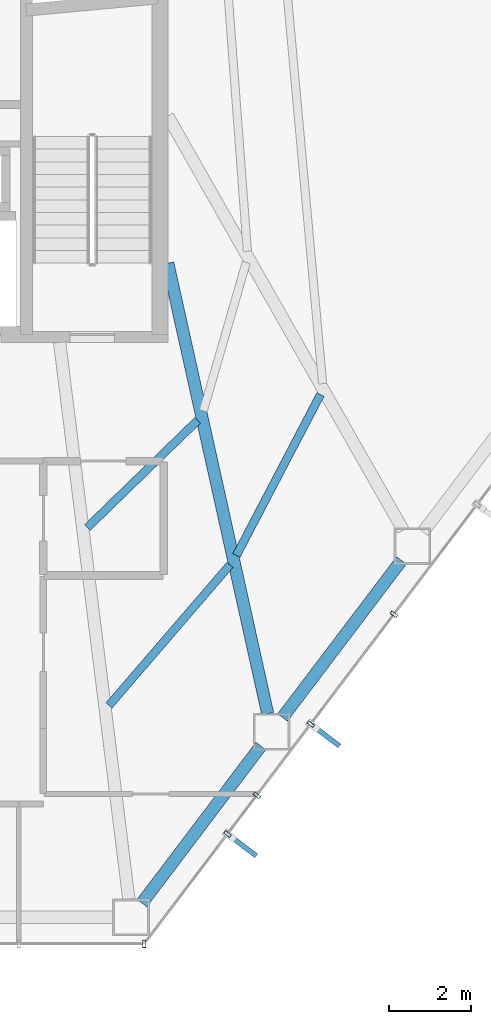
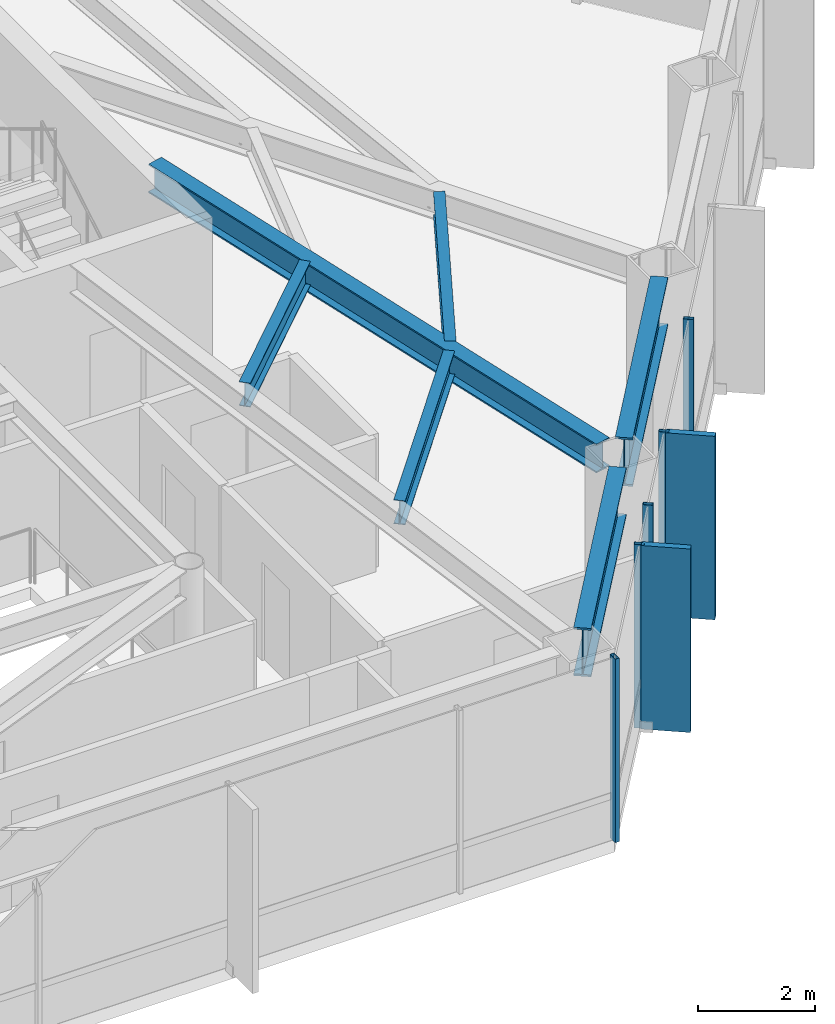
# One storey, part 14 of 24: 7 members, 6 beams, 2 elements without a shape of their own.
"""IFC4 building model written with IfcOpenShell, lengths in metres."""

from ifc_helpers import new_model, si_unit, direction, frame, origin, origin_2d, place, context, subcontext, project, spatial, rectangle, hollow_rectangle, i_section, extrude, material, layer, layer_set, material_profile, profile_set, type_object, element, aggregate, save


model = new_model("IFC4")

# Units and contexts
model_context = context("Model", 3, precision=1e-05, world=origin(), true_north=direction((0.0, 1.0)))
body_context = subcontext(model_context, "Body", "Model", "MODEL_VIEW")
ifc_project = project(units=[si_unit("LENGTHUNIT", "METRE"), si_unit("AREAUNIT", "SQUARE_METRE"), si_unit("VOLUMEUNIT", "CUBIC_METRE"), si_unit("PLANEANGLEUNIT", "RADIAN"), si_unit("MASSUNIT", "GRAM", prefix="KILO")], contexts=[model_context])

# Site, building, storey
site_placement = place(None, origin())
site = spatial("IfcSite", under=ifc_project, at=site_placement, CompositionType="ELEMENT")
building_placement = place(site_placement, origin())
building = spatial("IfcBuilding", under=site, at=building_placement, Name="Zarrinselat Tower", CompositionType="ELEMENT")
storey_placement = place(building_placement, frame((0.0, 0.0, 100.97998046875)))
storey = spatial("IfcBuildingStorey", under=building, at=storey_placement, Name="L24", CompositionType="ELEMENT", Elevation=100.97998046875)

# Beams
ifc_material_1 = material(Name="Steel S355J2", Category="steel")
ifc_material_profile_1 = material_profile(ifc_material_1, i_section(OverallWidth=0.300048828125, OverallDepth=0.60009765625, WebThickness=0.015380859375, FlangeThickness=0.030029296875, at=origin_2d()), Name="HEB 600")
ifc_profile_set_1 = profile_set([ifc_material_profile_1], Name="Steel S355J2")
beam_type_1 = type_object("IfcBeamType", Name="BM-HEB600", PredefinedType="BEAM", material=ifc_profile_set_1)
beam_1_placement = place(storey_placement, frame((48.449951171875, 35.0, 3.52001953125), z_axis=(0.216477682, -0.976287566855, 0.0), x_axis=(0.976287566855, 0.216477682, 0.0)))
element("IfcBeam", 1, at=beam_1_placement, inside=storey, type_object=beam_type_1, Name="L24 Radial Primary Girder RG12", PredefinedType="BEAM", context=body_context, shape_type="SweptSolid", body=[
    extrude(i_section(OverallWidth=0.300048828125, OverallDepth=0.60009765625, WebThickness=0.015380859375, FlangeThickness=0.030029296875, at=origin_2d()), origin(), (0.0, 0.0, 1.0), 11.304931640625),
])
ifc_material_2 = material(Name="Steel S460M", Category="steel")
ifc_material_profile_2 = material_profile(ifc_material_2, i_section(OverallWidth=0.302001953125, OverallDepth=1.008056640625, WebThickness=0.02099609375, FlangeThickness=0.0400390625, at=origin_2d()), Name="HEM 1000")
ifc_profile_set_2 = profile_set([ifc_material_profile_2], Name="Steel S460M")
beam_type_2 = type_object("IfcBeamType", Name="BM-HEM1000", PredefinedType="BEAM", material=ifc_profile_set_2)
beam_2_placement = place(storey_placement, frame((47.8154296875, 19.32470703125, 3.31591796875), z_axis=(0.603852819431, 0.797095836437, 0.0), x_axis=(-0.797095836437, 0.603852819431, 0.0)))
element("IfcBeam", 2, at=beam_2_placement, inside=storey, type_object=beam_type_2, Name="L24 Perimeter Spandrel Girder SP11", PredefinedType="BEAM", context=body_context, shape_type="SweptSolid", body=[
    extrude(i_section(OverallWidth=0.302001953125, OverallDepth=1.008056640625, WebThickness=0.02099609375, FlangeThickness=0.0400390625, at=origin_2d()), origin(), (0.0, 0.0, 1.0), 4.827392578125),
])
beam_3_placement = place(storey_placement, frame((51.259521484375, 23.870849609375, 3.31591796875), z_axis=(0.60382847745, 0.797114276513, 0.0), x_axis=(-0.797114276513, 0.60382847745, 0.0)))
element("IfcBeam", 3, at=beam_3_placement, inside=storey, type_object=beam_type_2, Name="L24 Perimeter Spandrel Girder SP12", PredefinedType="BEAM", context=body_context, shape_type="SweptSolid", body=[
    extrude(i_section(OverallWidth=0.302001953125, OverallDepth=1.008056640625, WebThickness=0.02099609375, FlangeThickness=0.0400390625, at=origin_2d()), origin(), (0.0, 0.0, 1.0), 4.82763671875),
])
ifc_material_3 = material(Name="Steel S355J2", Category="steel")
ifc_material_profile_3 = material_profile(ifc_material_3, i_section(OverallWidth=0.199951171875, OverallDepth=0.5, WebThickness=0.01025390625, FlangeThickness=0.01611328125, at=origin_2d()), Name="IPE 500")
ifc_profile_set_3 = profile_set([ifc_material_profile_3], Name="Steel S355J2")
beam_type_3 = type_object("IfcBeamType", Name="BM-IPE500", PredefinedType="JOIST", material=ifc_profile_set_3)
beam_4_placement = place(storey_placement, frame((47.010009765625, 24.16650390625, 3.570068359375), z_axis=(0.652391980418, 0.757881721568, 0.0), x_axis=(-0.757881721568, 0.652391980418, 0.0)))
element("IfcBeam", 4, at=beam_4_placement, inside=storey, type_object=beam_type_3, Name="L24 Composite Floor Joist 3-1", PredefinedType="JOIST", context=body_context, shape_type="SweptSolid", body=[
    extrude(i_section(OverallWidth=0.199951171875, OverallDepth=0.5, WebThickness=0.01025390625, FlangeThickness=0.01611328125, at=origin_2d()), origin(), (0.0, 0.0, 1.0), 4.54296875),
])
beam_5_placement = place(storey_placement, frame((46.476806640625, 28.521484375, 3.570068359375), z_axis=(0.717164751372, 0.696903665789, 0.0), x_axis=(-0.696903665789, 0.717164751372, 0.0)))
element("IfcBeam", 5, at=beam_5_placement, inside=storey, type_object=beam_type_3, Name="L24 Composite Floor Joist 3-2", PredefinedType="JOIST", context=body_context, shape_type="SweptSolid", body=[
    extrude(i_section(OverallWidth=0.199951171875, OverallDepth=0.5, WebThickness=0.01025390625, FlangeThickness=0.01611328125, at=origin_2d()), origin(), (0.0, 0.0, 1.0), 3.771484375),
])
beam_6_placement = place(storey_placement, frame((50.1298828125, 27.839599609375, 3.570068359375), z_axis=(0.463008406228, 0.886353888558, 0.0), x_axis=(-0.886353888558, 0.463008406228, 0.0)))
element("IfcBeam", 6, at=beam_6_placement, inside=storey, type_object=beam_type_3, Name="L24 Composite Floor Joist 4-1", PredefinedType="JOIST", context=body_context, shape_type="SweptSolid", body=[
    extrude(i_section(OverallWidth=0.199951171875, OverallDepth=0.5, WebThickness=0.01025390625, FlangeThickness=0.01611328125, at=origin_2d()), origin(), (0.0, 0.0, 1.0), 4.450439453125),
])

# Curtain wall, member
ifc_material_4 = material(Name="Extruded Aluminium Alloy EN AW-6063 T6", Category="aluminium")
ifc_layer = layer(ifc_material_4, 0.18505859375)
ifc_layer_set = layer_set([ifc_layer], Name="Extruded Aluminium Alloy EN AW-6063 T6")
curtain_wall_type = type_object("IfcCurtainWallType", Name="CWS-OFF", PredefinedType="NOTDEFINED", material=ifc_layer_set)
curtain_wall_1_placement = place(storey_placement, origin())
curtain_wall_1 = element("IfcCurtainWall", 7, at=curtain_wall_1_placement, inside=storey, type_object=curtain_wall_type, Name="L24 Unitised Curtain Wall CW-L24-E04", PredefinedType="NOTDEFINED")
ifc_material_5 = material(Name="Extruded Aluminium Alloy EN AW-6063 T6", Category="aluminium")
ifc_material_profile_4 = material_profile(ifc_material_5, hollow_rectangle(XDim=0.080078125, YDim=0.179931640625, WallThickness=0.0048828125, at=origin_2d()), Name="RHS 180x80x5")
ifc_profile_set_4 = profile_set([ifc_material_profile_4], Name="Extruded Aluminium Alloy EN AW-6063 T6")
member_type_1 = type_object("IfcMemberType", Name="MEM-CW-MUL", PredefinedType="MULLION", material=ifc_profile_set_4)
member_1_placement = place(storey_placement, frame((47.873779296875, 18.32568359375, 0.0), z_axis=(0.0, 0.0, 1.0), x_axis=(1.0, 0.0, 0.0)))
member_1 = element("IfcMember", 8, at=member_1_placement, type_object=member_type_1, Name="CW-L24-E04 Mullion 5", PredefinedType="MULLION", context=body_context, shape_type="SweptSolid", body=[
    extrude(hollow_rectangle(XDim=0.080078125, YDim=0.179931640625, WallThickness=0.0048828125, at=origin_2d()), origin(), (0.0, 0.0, 1.0), 3.820068359375),
])
aggregate(curtain_wall_1, [member_1])

# Curtain wall, members
curtain_wall_2_placement = place(storey_placement, origin())
curtain_wall_2 = element("IfcCurtainWall", 9, at=curtain_wall_2_placement, inside=storey, type_object=curtain_wall_type, Name="L24 Unitised Curtain Wall CW-L24-E05", PredefinedType="NOTDEFINED")
member_2_placement = place(storey_placement, frame((49.912353515625, 21.016357421875, 0.0), z_axis=(0.0, 0.0, 1.0), x_axis=(0.603858013909, 0.79709190125, 0.0)))
member_2 = element("IfcMember", 10, at=member_2_placement, type_object=member_type_1, Name="CW-L24-E05 Mullion 1", PredefinedType="MULLION", context=body_context, shape_type="SweptSolid", body=[
    extrude(hollow_rectangle(XDim=0.080078125, YDim=0.179931640625, WallThickness=0.0048828125, at=origin_2d()), origin(), (0.0, 0.0, 1.0), 3.820068359375),
])
member_3_placement = place(storey_placement, frame((50.630126953125, 21.9638671875, 0.0), z_axis=(0.0, 0.0, 1.0), x_axis=(0.603858013909, 0.79709190125, 0.0)))
member_3 = element("IfcMember", 11, at=member_3_placement, type_object=member_type_1, Name="CW-L24-E05 Mullion 2", PredefinedType="MULLION", context=body_context, shape_type="SweptSolid", body=[
    extrude(hollow_rectangle(XDim=0.080078125, YDim=0.179931640625, WallThickness=0.0048828125, at=origin_2d()), origin(), (0.0, 0.0, 1.0), 3.820068359375),
])
member_4_placement = place(storey_placement, frame((51.95068359375, 23.70703125, 0.0), z_axis=(0.0, 0.0, 1.0), x_axis=(0.603858013909, 0.79709190125, 0.0)))
member_4 = element("IfcMember", 12, at=member_4_placement, type_object=member_type_1, Name="CW-L24-E05 Mullion 3", PredefinedType="MULLION", context=body_context, shape_type="SweptSolid", body=[
    extrude(hollow_rectangle(XDim=0.080078125, YDim=0.179931640625, WallThickness=0.0048828125, at=origin_2d()), origin(), (0.0, 0.0, 1.0), 3.820068359375),
])
member_5_placement = place(storey_placement, frame((53.989013671875, 26.397705078125, 0.0), z_axis=(0.0, 0.0, 1.0), x_axis=(0.603858013909, 0.79709190125, 0.0)))
member_5 = element("IfcMember", 13, at=member_5_placement, type_object=member_type_1, Name="CW-L24-E05 Mullion 4", PredefinedType="MULLION", context=body_context, shape_type="SweptSolid", body=[
    extrude(hollow_rectangle(XDim=0.080078125, YDim=0.179931640625, WallThickness=0.0048828125, at=origin_2d()), origin(), (0.0, 0.0, 1.0), 3.820068359375),
])
ifc_material_6 = material(Name="Honed Cream Travertine Stone", Category="masonry")
ifc_material_profile_5 = material_profile(ifc_material_6, rectangle(XDim=0.1201171875, YDim=0.85009765625, at=origin_2d()), Name="FIN 850x120")
ifc_profile_set_5 = profile_set([ifc_material_profile_5], Name="Honed Cream Travertine Stone")
member_type_2 = type_object("IfcMemberType", Name="MEM-STONE-FIN", PredefinedType="USERDEFINED", material=ifc_profile_set_5)
member_6_placement = place(storey_placement, frame((50.279052734375, 20.738525390625, 0.0), z_axis=(0.0, 0.0, 1.0), x_axis=(-0.603858013909, -0.79709190125, 0.0)))
member_6 = element("IfcMember", 14, at=member_6_placement, type_object=member_type_2, Name="L24 Stone Shading Fin CW-L24-E05-01", ObjectType="FIN", PredefinedType="USERDEFINED", context=body_context, shape_type="SweptSolid", body=[
    extrude(rectangle(XDim=0.1201171875, YDim=0.85009765625, at=origin_2d()), origin(), (0.0, 0.0, 1.0), 3.820068359375),
])
member_7_placement = place(storey_placement, frame((52.3173828125, 23.42919921875, 0.0), z_axis=(0.0, 0.0, 1.0), x_axis=(-0.603858013909, -0.79709190125, 0.0)))
member_7 = element("IfcMember", 15, at=member_7_placement, type_object=member_type_2, Name="L24 Stone Shading Fin CW-L24-E05-03", ObjectType="FIN", PredefinedType="USERDEFINED", context=body_context, shape_type="SweptSolid", body=[
    extrude(rectangle(XDim=0.1201171875, YDim=0.85009765625, at=origin_2d()), origin(), (0.0, 0.0, 1.0), 3.820068359375),
])
aggregate(curtain_wall_2, [member_2, member_6, member_3, member_4, member_7, member_5])

save(model, "model.ifc")
